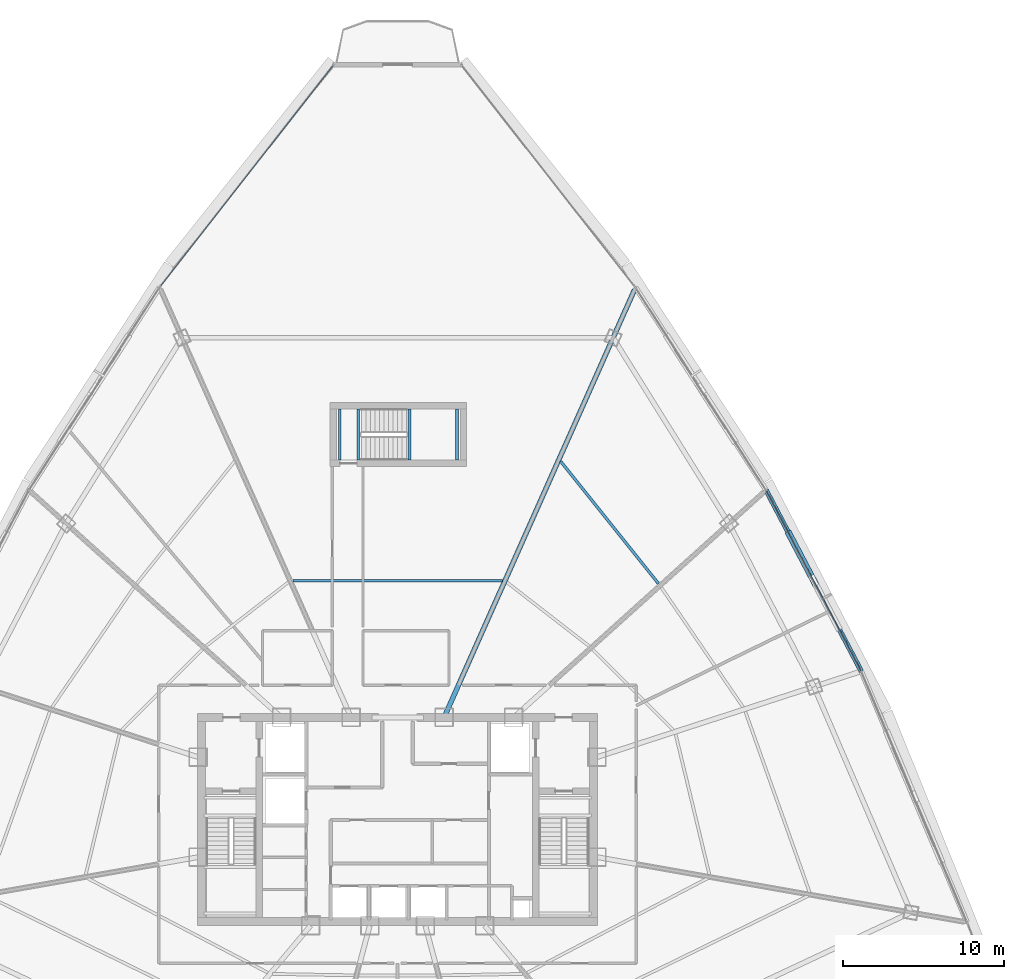
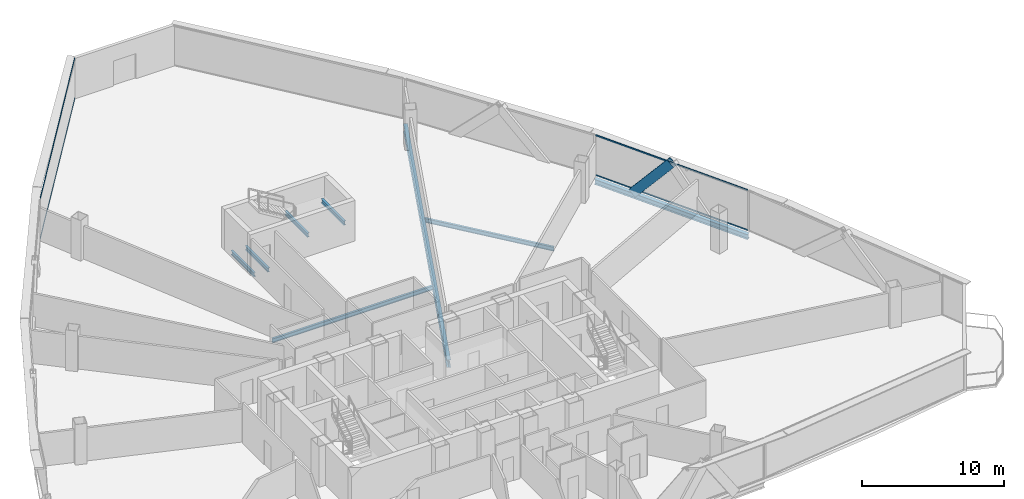
# One storey, part 17 of 34: 8 beams, 5 members, 2 elements without a shape of their own.
"""IFC4 building model written with IfcOpenShell, lengths in metres."""

from ifc_helpers import new_model, si_unit, direction, frame, origin, origin_2d, place, context, subcontext, project, spatial, hollow_rectangle, i_section, extrude, source, transform, mapped, material, layer, layer_set, material_profile, profile_set, type_object, element, aggregate, save


model = new_model("IFC4")

# Units and contexts
model_context = context("Model", 3, precision=1e-05, world=origin(), true_north=direction((0.0, 1.0)))
body_context = subcontext(model_context, "Body", "Model", "MODEL_VIEW")
ifc_project = project(units=[si_unit("LENGTHUNIT", "METRE"), si_unit("AREAUNIT", "SQUARE_METRE"), si_unit("VOLUMEUNIT", "CUBIC_METRE"), si_unit("PLANEANGLEUNIT", "RADIAN"), si_unit("MASSUNIT", "GRAM", prefix="KILO"), si_unit("THERMODYNAMICTEMPERATUREUNIT", "KELVIN"), si_unit("POWERUNIT", "WATT")], contexts=[model_context])

# Site, building, storey
site_placement = place(None, origin())
site = spatial("IfcSite", under=ifc_project, at=site_placement, CompositionType="ELEMENT")
building_placement = place(site_placement, origin())
building = spatial("IfcBuilding", under=site, at=building_placement, Name="Yunzhuo Pagoda Commons", CompositionType="ELEMENT")
storey_placement = place(building_placement, frame((0.0, 0.0, 229.610107421875)))
storey = spatial("IfcBuildingStorey", under=building, at=storey_placement, Name="L57", CompositionType="ELEMENT", Elevation=229.610107421875)

# Beams
ifc_material_1 = material(Name="Structural steel Q355B", Category="steel")
ifc_material_profile_1 = material_profile(ifc_material_1, i_section(OverallWidth=0.175048828125, OverallDepth=0.35009765625, WebThickness=0.007080078125, FlangeThickness=0.010986328125, at=origin_2d()), Name="Structural steel Q355B")
ifc_profile_set_1 = profile_set([ifc_material_profile_1], Name="Structural steel Q355B")
beam_type_1 = type_object("IfcBeamType", Name="B-JS2 Joist HN 350x175x7x11", PredefinedType="JOIST", material=ifc_profile_set_1)
shared_shape_1 = source(origin(), body_context, "Body", "SweptSolid", [
    extrude(i_section(OverallWidth=0.175048828125, OverallDepth=0.35009765625, WebThickness=0.007080078125, FlangeThickness=0.010986328125, at=origin_2d()), origin(), (0.0, 0.0, 1.0), 3.199951171875),
])
for number, where, z_axis, x_axis, name in (
    (1, (48.75, 56.199951171875, 1.489990234375), (0.0, 1.0, 0.0), (-1.0, 0.0, 0.0), "L57 ST3 landing support beam 63A"),
    (2, (51.699951171875, 56.199951171875, 1.489990234375), (0.0, 1.0, 0.0), (-1.0, 0.0, 0.0), "L57 ST3 landing support beam 63B"),
    (3, (44.39990234375, 56.199951171875, -0.375), (0.0, 1.0, 0.0), (-1.0, 0.0, 0.0), "L57 ST3 landing support beam 131A"),
    (4, (45.550048828125, 56.199951171875, -0.375), (0.0, 1.0, 0.0), (-1.0, 0.0, 0.0), "L57 ST3 landing support beam 131B"),
):
    element("IfcBeam", number, at=place(storey_placement, frame(where, z_axis=z_axis, x_axis=x_axis)), inside=storey, type_object=beam_type_1, Name=name, PredefinedType="JOIST", context=body_context, shape_type="MappedRepresentation", body=[
        mapped(shared_shape_1, transform((0.0, 0.0, 0.0), scale=1.0)),
    ])
ifc_material_profile_2 = material_profile(ifc_material_1, i_section(OverallWidth=0.300048828125, OverallDepth=0.43994140625, WebThickness=0.010986328125, FlangeThickness=0.01806640625, at=origin_2d()), Name="Structural steel Q355B")
ifc_profile_set_2 = profile_set([ifc_material_profile_2], Name="Structural steel Q355B")
beam_type_2 = type_object("IfcBeamType", Name="B-SP2 Beam HM 440x300x11x18", PredefinedType="BEAM", material=ifc_profile_set_2)
shared_shape_2 = source(origin(), body_context, "Body", "SweptSolid", [
    extrude(i_section(OverallWidth=0.300048828125, OverallDepth=0.43994140625, WebThickness=0.010986328125, FlangeThickness=0.01806640625, at=origin_2d()), origin(), (0.0, 0.0, 1.0), 12.72802734375),
])
beam_1_placement = place(storey_placement, frame((76.84423828125, 43.072265625, -0.480224609375), z_axis=(-0.465335297966, 0.88513448722, 0.0), x_axis=(-0.88513448722, -0.465335297966, 0.0)))
element("IfcBeam", 5, at=beam_1_placement, inside=storey, type_object=beam_type_2, Name="L57 facade edge spandrel beam F2.2", PredefinedType="BEAM", context=body_context, shape_type="MappedRepresentation", body=[
    mapped(shared_shape_2, transform((0.0, 0.0, 0.0), scale=1.0)),
])
ifc_material_profile_3 = material_profile(ifc_material_1, i_section(OverallWidth=0.300048828125, OverallDepth=0.64990234375, WebThickness=0.012939453125, FlangeThickness=0.02197265625, at=origin_2d()), Name="Structural steel Q355B")
ifc_profile_set_3 = profile_set([ifc_material_profile_3], Name="Structural steel Q355B")
beam_type_3 = type_object("IfcBeamType", Name="B-RG2 Beam HN 650x300x13x22", PredefinedType="BEAM", material=ifc_profile_set_3)
shared_shape_3 = source(origin(), body_context, "Body", "SweptSolid", [
    extrude(i_section(OverallWidth=0.300048828125, OverallDepth=0.64990234375, WebThickness=0.012939453125, FlangeThickness=0.02197265625, at=origin_2d()), origin(), (0.0, 0.0, 1.0), 29.12451171875),
])
beam_2_placement = place(storey_placement, frame((62.739990234375, 66.806640625, -0.585205078125), z_axis=(-0.406733373538, -0.913546913328, 0.0), x_axis=(0.913546913328, -0.406733373538, 0.0)))
element("IfcBeam", 6, at=beam_2_placement, inside=storey, type_object=beam_type_3, Name="L57 radial floor girder F2C4", PredefinedType="BEAM", context=body_context, shape_type="MappedRepresentation", body=[
    mapped(shared_shape_3, transform((0.0, 0.0, 0.0), scale=1.0)),
])
shared_shape_4 = source(origin(), body_context, "Body", "SweptSolid", [
    extrude(i_section(OverallWidth=0.175048828125, OverallDepth=0.35009765625, WebThickness=0.007080078125, FlangeThickness=0.010986328125, at=origin_2d()), origin(), (0.0, 0.0, 1.0), 9.741455078125),
])
beam_3_placement = place(storey_placement, frame((64.226806640625, 48.5244140625, -0.43505859375), z_axis=(-0.624618636222, 0.780929932378, 0.0), x_axis=(-0.780929932378, -0.624618636222, 0.0)))
element("IfcBeam", 7, at=beam_3_placement, inside=storey, type_object=beam_type_1, Name="L57 composite ring joist 2.7", PredefinedType="JOIST", context=body_context, shape_type="MappedRepresentation", body=[
    mapped(shared_shape_4, transform((0.0, 0.0, 0.0), scale=1.0)),
])
shared_shape_5 = source(origin(), body_context, "Body", "SweptSolid", [
    extrude(i_section(OverallWidth=0.175048828125, OverallDepth=0.35009765625, WebThickness=0.007080078125, FlangeThickness=0.010986328125, at=origin_2d()), origin(), (0.0, 0.0, 1.0), 13.0390625),
])
beam_4_placement = place(storey_placement, frame((54.51953125, 48.7001953125, -0.43505859375), z_axis=(-1.0, 0.0, 0.0), x_axis=(0.0, -1.0, 0.0)))
element("IfcBeam", 8, at=beam_4_placement, inside=storey, type_object=beam_type_1, Name="L57 composite ring joist 1.8", PredefinedType="JOIST", context=body_context, shape_type="MappedRepresentation", body=[
    mapped(shared_shape_5, transform((0.0, 0.0, 0.0), scale=1.0)),
])

# Member
ifc_material_profile_4 = material_profile(ifc_material_1, hollow_rectangle(XDim=0.39990234375, YDim=0.719970703125, WallThickness=0.02392578125, at=origin_2d()), Name="Structural steel Q355B")
ifc_profile_set_4 = profile_set([ifc_material_profile_4], Name="Structural steel Q355B")
member_type_1 = type_object("IfcMemberType", Name="M-DL2 Brace BOX 720x400x24", PredefinedType="BRACE", material=ifc_profile_set_4)
shared_shape_6 = source(origin(), body_context, "Body", "SweptSolid", [
    extrude(hollow_rectangle(XDim=0.39990234375, YDim=0.719970703125, WallThickness=0.02392578125, at=origin_2d()), origin(), (0.0, 0.0, 1.0), 4.903076171875),
])
member_1_placement = place(storey_placement, frame((72.402099609375, 51.52197265625, -0.260009765625), z_axis=(0.302050581027, -0.57447371469, 0.760753177865), x_axis=(0.885111192899, 0.465379604414, 0.0)))
element("IfcMember", 9, at=member_1_placement, inside=storey, type_object=member_type_1, Name="L57 facade diamond brace F2.2R", PredefinedType="BRACE", context=body_context, shape_type="MappedRepresentation", body=[
    mapped(shared_shape_6, transform((0.0, 0.0, 0.0), scale=1.0)),
])

# Curtain wall, members
ifc_material_2 = material(Name="Anodized aluminium 6063-T6", Category="aluminium")
ifc_layer = layer(ifc_material_2, 0.139892578125)
ifc_layer_set = layer_set([ifc_layer], Name="Anodized aluminium 6063-T6")
curtain_wall_type = type_object("IfcCurtainWallType", Name="CW-HI High-Zone Ribbon Curtain Wall", PredefinedType="NOTDEFINED", material=ifc_layer_set)
curtain_wall_1_placement = place(storey_placement, origin())
curtain_wall_1 = element("IfcCurtainWall", 10, at=curtain_wall_1_placement, inside=storey, type_object=curtain_wall_type, Name="L57 curtain wall CW-L57-F2B3", PredefinedType="NOTDEFINED")
ifc_material_profile_5 = material_profile(ifc_material_2, hollow_rectangle(XDim=0.054931640625, YDim=0.1201171875, WallThickness=0.00341796875, at=origin_2d()), Name="Anodized aluminium 6063-T6")
ifc_profile_set_5 = profile_set([ifc_material_profile_5], Name="Anodized aluminium 6063-T6")
member_type_2 = type_object("IfcMemberType", Name="CW-HI-T Transom RHS 120x55x3.5", PredefinedType="USERDEFINED", material=ifc_profile_set_5)
shared_shape_7 = source(origin(), body_context, "Body", "SweptSolid", [
    extrude(hollow_rectangle(XDim=0.054931640625, YDim=0.1201171875, WallThickness=0.00341796875, at=origin_2d()), origin(), (0.0, 0.0, 1.0), 12.6083984375),
])
member_2_placement = place(storey_placement, frame((76.81640625, 43.125244140625, 0.02734375), z_axis=(-0.465337780668, 0.885133182003, 0.0), x_axis=(-0.885133182003, -0.465337780668, 0.0)))
member_2 = element("IfcMember", 11, at=member_2_placement, type_object=member_type_2, Name="CW transom 1.1", ObjectType="TRANSOM", PredefinedType="USERDEFINED", context=body_context, shape_type="MappedRepresentation", body=[
    mapped(shared_shape_7, transform((0.0, 0.0, 0.0), scale=1.0)),
])
member_3_placement = place(storey_placement, frame((76.81640625, 43.125244140625, 3.4423828125), z_axis=(-0.465337780668, 0.885133182003, 0.0), x_axis=(-0.885133182003, -0.465337780668, 0.0)))
member_3 = element("IfcMember", 12, at=member_3_placement, type_object=member_type_2, Name="CW transom 1.2", ObjectType="TRANSOM", PredefinedType="USERDEFINED", context=body_context, shape_type="MappedRepresentation", body=[
    mapped(shared_shape_7, transform((0.0, 0.0, 0.0), scale=1.0)),
])
aggregate(curtain_wall_1, [member_2, member_3])

curtain_wall_2_placement = place(storey_placement, origin())
curtain_wall_2 = element("IfcCurtainWall", 13, at=curtain_wall_2_placement, inside=storey, type_object=curtain_wall_type, Name="L57 curtain wall CW-L57-F3B1", PredefinedType="NOTDEFINED")
shared_shape_8 = source(origin(), body_context, "Body", "SweptSolid", [
    extrude(hollow_rectangle(XDim=0.054931640625, YDim=0.1201171875, WallThickness=0.00341796875, at=origin_2d()), origin(), (0.0, 0.0, 1.0), 17.39404296875),
])
member_4_placement = place(storey_placement, frame((43.99755859375, 80.754638671875, 0.02734375), z_axis=(-0.616143998009, -0.787633527548, 0.0), x_axis=(0.787633527548, -0.616143998009, 0.0)))
member_4 = element("IfcMember", 14, at=member_4_placement, type_object=member_type_2, Name="CW transom 1.1", ObjectType="TRANSOM", PredefinedType="USERDEFINED", context=body_context, shape_type="MappedRepresentation", body=[
    mapped(shared_shape_8, transform((0.0, 0.0, 0.0), scale=1.0)),
])
member_5_placement = place(storey_placement, frame((43.99755859375, 80.754638671875, 3.4423828125), z_axis=(-0.616143998009, -0.787633527548, 0.0), x_axis=(0.787633527548, -0.616143998009, 0.0)))
member_5 = element("IfcMember", 15, at=member_5_placement, type_object=member_type_2, Name="CW transom 1.2", ObjectType="TRANSOM", PredefinedType="USERDEFINED", context=body_context, shape_type="MappedRepresentation", body=[
    mapped(shared_shape_8, transform((0.0, 0.0, 0.0), scale=1.0)),
])
aggregate(curtain_wall_2, [member_4, member_5])

save(model, "model.ifc")
